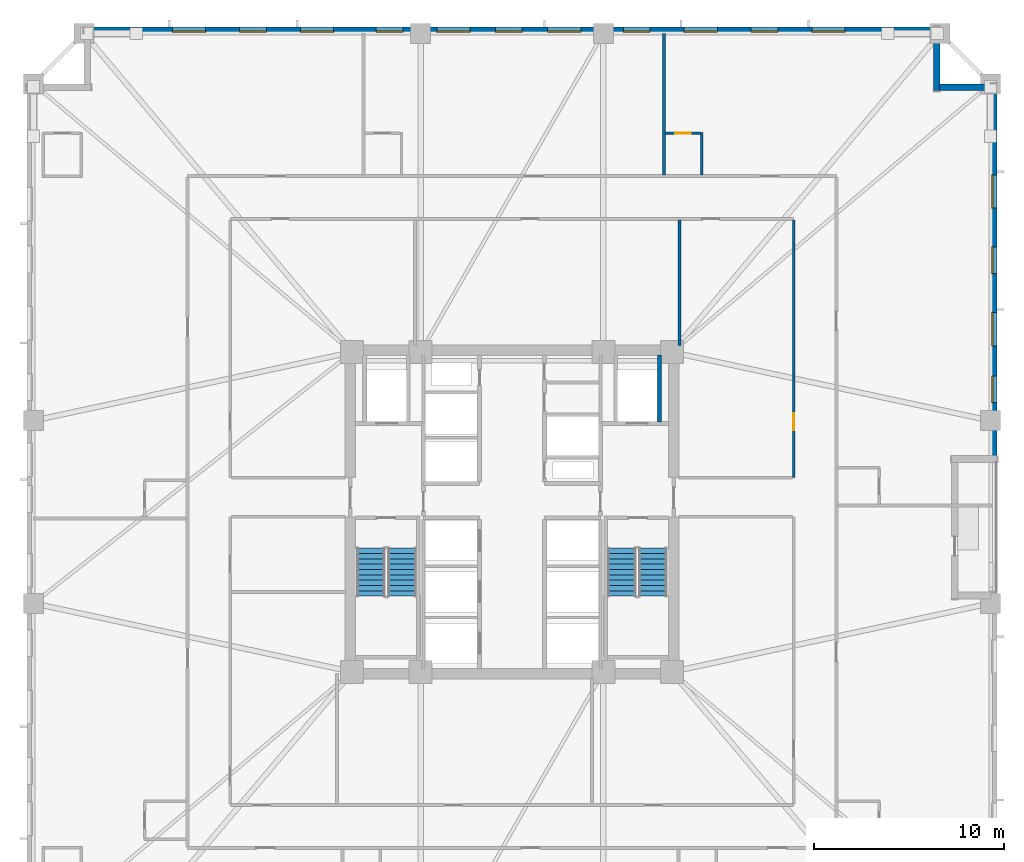
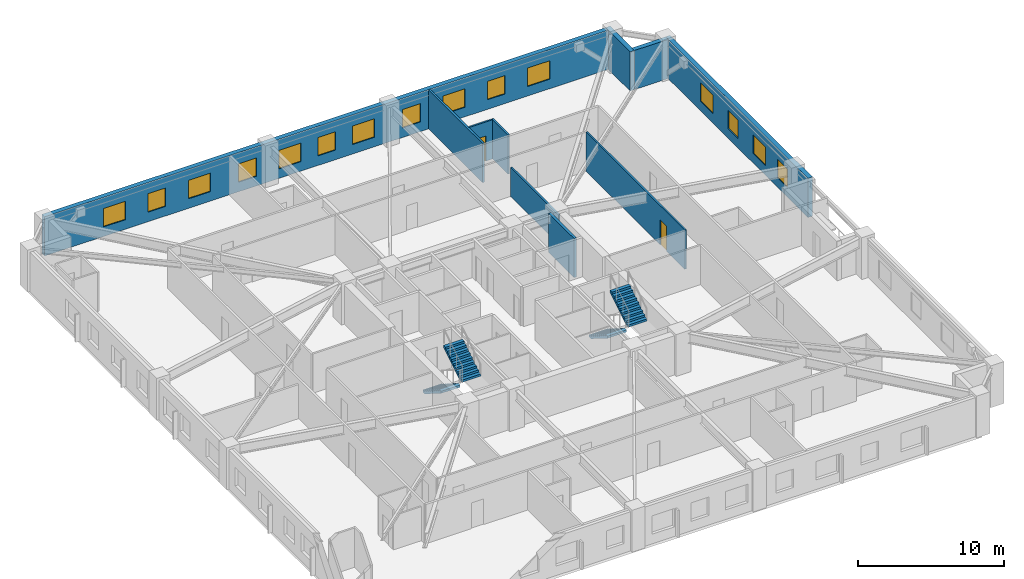
# One storey, part 6 of 11: 15 windows, 10 walls, 4 stair flights, 2 doors, 17 openings, 2 elements without a shape of their own.
"""IFC4 building model written with IfcOpenShell, lengths in metres."""

from ifc_helpers import new_model, si_unit, direction, frame, frame_2d, origin, place, context, subcontext, project, spatial, polyline, rectangle, outline, extrude, material, layer, layer_set, type_object, element, fill, aggregate, save


model = new_model("IFC4")

# Units and contexts
model_context = context("Model", 3, precision=1e-05, world=origin(), true_north=direction((0.0, 1.0)))
body_context = subcontext(model_context, "Body", "Model", "MODEL_VIEW")
ifc_project = project(units=[si_unit("LENGTHUNIT", "METRE"), si_unit("AREAUNIT", "SQUARE_METRE"), si_unit("VOLUMEUNIT", "CUBIC_METRE"), si_unit("PLANEANGLEUNIT", "RADIAN"), si_unit("MASSUNIT", "GRAM", prefix="KILO")], contexts=[model_context])

# Site, building, storey
site_placement = place(None, origin())
site = spatial("IfcSite", under=ifc_project, at=site_placement, CompositionType="ELEMENT")
building_placement = place(site_placement, origin())
building = spatial("IfcBuilding", under=site, at=building_placement, Name="Cairnveth Concourse Tower", CompositionType="ELEMENT")
storey_placement = place(building_placement, frame((0.0, 0.0, 65.5)))
storey = spatial("IfcBuildingStorey", under=building, at=storey_placement, Name="L17", CompositionType="ELEMENT", Elevation=65.5)

# Walls
ifc_material_1 = material(Name="Gypsum Plasterboard Partition", Category="gypsum")
ifc_layer_1 = layer(ifc_material_1, 0.159912109375)
ifc_layer_set_1 = layer_set([ifc_layer_1], Name="Gypsum Plasterboard Partition")
wall_type_1 = type_object("IfcWallType", Name="ACOUSTIC PARTY WALL 180", PredefinedType="PARTITIONING", material=ifc_layer_set_1)
wall_1_placement = place(storey_placement, frame((59.9775390625, 56.715087890625, 0.0), z_axis=(0.0, 0.0, 1.0), x_axis=(0.0, 1.0, 0.0)))
element("IfcWall", 1, at=wall_1_placement, inside=storey, type_object=wall_type_1, Name="Interior Wall IW-L17-074", PredefinedType="PARTITIONING", context=body_context, shape_type="SweptSolid", body=[
    extrude(rectangle(XDim=7.43994140625, YDim=0.159912109375, at=frame_2d((3.719970703125, 0.0))), origin(), (0.0, 0.0, 1.0), 3.280029296875),
])
ifc_material_2 = material(Name="Concrete N50 (50 MPa)", Category="concrete")
ifc_layer_2 = layer(ifc_material_2, 0.199951171875)
ifc_layer_set_2 = layer_set([ifc_layer_2], Name="Concrete N50 (50 MPa)")
wall_type_2 = type_object("IfcWallType", Name="FIRE SHAFT WALL 200", PredefinedType="SOLIDWALL", material=ifc_layer_set_2)
wall_2_placement = place(storey_placement, frame((59.75, 43.735107421875, 0.0), z_axis=(0.0, 0.0, 1.0), x_axis=(0.0, 1.0, 0.0)))
element("IfcWall", 2, at=wall_2_placement, inside=storey, type_object=wall_type_2, Name="Interior Wall IW-L17-024", PredefinedType="SOLIDWALL", context=body_context, shape_type="SweptSolid", body=[
    extrude(rectangle(XDim=3.5048828125, YDim=0.199951171875, at=frame_2d((1.75244140625, 0.0))), origin(), (0.0, 0.0, 1.0), 3.280029296875),
])

# Wall, opening, door
ifc_layer_3 = layer(ifc_material_1, 0.139892578125)
ifc_layer_set_3 = layer_set([ifc_layer_3], Name="Gypsum Plasterboard Partition")
wall_type_3 = type_object("IfcWallType", Name="GYPSUM STUD PARTITION 140", PredefinedType="PARTITIONING", material=ifc_layer_set_3)
wall_3_placement = place(storey_placement, frame((66.800048828125, 40.800048828125, 0.0), z_axis=(0.0, 0.0, 1.0), x_axis=(0.0, 1.0, 0.0)))
wall_3 = element("IfcWall", 3, at=wall_3_placement, inside=storey, type_object=wall_type_3, Name="Interior Wall IW-L17-049", PredefinedType="PARTITIONING", context=body_context, shape_type="SweptSolid", body=[
    extrude(rectangle(XDim=13.544921875, YDim=0.139892578125, at=frame_2d((6.7724609375, 0.0))), origin(), (0.0, 0.0, 1.0), 3.280029296875),
])
opening_1_placement = place(wall_3_placement, frame((2.5, 0.0, 0.0)))
opening_1 = element("IfcOpeningElement", 4, at=opening_1_placement, cuts=wall_3, Name="Opening ID18", PredefinedType="OPENING", context=body_context, shape_type="SweptSolid", body=[
    extrude(rectangle(XDim=0.8798828125, YDim=2.10009765625, at=frame_2d((0.43994140625, 1.050048828125))), frame((0.0, 0.079833984375, 0.0), z_axis=(0.0, -1.0, 0.0), x_axis=(1.0, 0.0, 0.0)), (0.0, 0.0, 1.0), 0.159912109375),
])
ifc_material_3 = material(Name="Solid Core Hardwood Timber Leaf", Category="wood")
door_type_1 = type_object("IfcDoorType", Name="INTERIOR SINGLE DOOR 880X2100", OperationType="NOTDEFINED", PredefinedType="DOOR", material=ifc_material_3)
door_1_placement = place(opening_1_placement, origin())
door_1 = element("IfcDoor", 5, at=door_1_placement, inside=storey, type_object=door_type_1, Name="Interior Door DR-L17-024", OperationType="SINGLE_SWING_RIGHT", OverallHeight=2.10009765625, OverallWidth=0.8798828125, PredefinedType="DOOR", context=body_context, shape_type="SweptSolid", body=[
    extrude(rectangle(XDim=0.8798828125, YDim=2.10009765625, at=frame_2d((0.43994140625, 1.050048828125))), frame((0.0, 0.02490234375, 0.0), z_axis=(0.0, -1.0, 0.0), x_axis=(1.0, 0.0, 0.0)), (0.0, 0.0, 1.0), 0.050048828125),
])
fill(opening_1, door_1)

# Walls
wall_4_placement = place(storey_placement, frame((60.800048828125, 47.760009765625, 0.0), z_axis=(0.0, 0.0, 1.0), x_axis=(0.0, 1.0, 0.0)))
element("IfcWall", 6, at=wall_4_placement, inside=storey, type_object=wall_type_3, Name="Interior Wall IW-L17-055", PredefinedType="PARTITIONING", context=body_context, shape_type="SweptSolid", body=[
    extrude(rectangle(XDim=6.5849609375, YDim=0.139892578125, at=frame_2d((3.29248046875, 0.0))), origin(), (0.0, 0.0, 1.0), 2.43896484375),
])
ifc_layer_4 = layer(ifc_material_1, 0.1298828125)
ifc_layer_set_4 = layer_set([ifc_layer_4], Name="Gypsum Plasterboard Partition")
wall_type_4 = type_object("IfcWallType", Name="WET AREA PARTITION 140", PredefinedType="PLUMBINGWALL", material=ifc_layer_set_4)
wall_5_placement = place(storey_placement, frame((61.9775390625, 56.715087890625, 0.0), z_axis=(0.0, 0.0, 1.0), x_axis=(0.0, 1.0, 0.0)))
element("IfcWall", 7, at=wall_5_placement, inside=storey, type_object=wall_type_4, Name="Interior Wall IW-L17-075", PredefinedType="PLUMBINGWALL", context=body_context, shape_type="SweptSolid", body=[
    extrude(rectangle(XDim=2.23486328125, YDim=0.1298828125, at=frame_2d((1.117431640625, 0.0))), origin(), (0.0, 0.0, 1.0), 3.280029296875),
])

# Wall, opening, door
wall_6_placement = place(storey_placement, frame((60.04248046875, 58.89990234375, 0.0), z_axis=(0.0, 0.0, 1.0), x_axis=(1.0, 0.0, 0.0)))
wall_6 = element("IfcWall", 8, at=wall_6_placement, inside=storey, type_object=wall_type_4, Name="Interior Wall IW-L17-076", PredefinedType="PLUMBINGWALL", context=body_context, shape_type="SweptSolid", body=[
    extrude(rectangle(XDim=1.885009765625, YDim=0.1298828125, at=frame_2d((0.9423828125, 0.0))), origin(), (0.0, 0.0, 1.0), 3.280029296875),
])
opening_2_placement = place(wall_6_placement, frame((0.52490234375, 0.0, 0.0)))
opening_2 = element("IfcOpeningElement", 9, at=opening_2_placement, cuts=wall_6, Name="Opening ID22", PredefinedType="OPENING", context=body_context, shape_type="SweptSolid", body=[
    extrude(rectangle(XDim=0.820068359375, YDim=2.10009765625, at=frame_2d((0.41015625, 1.050048828125))), frame((0.0, 0.074951171875, 0.0), z_axis=(0.0, -1.0, 0.0), x_axis=(1.0, 0.0, 0.0)), (0.0, 0.0, 1.0), 0.14990234375),
])
door_type_2 = type_object("IfcDoorType", Name="INTERIOR WC DOOR 820X2100", OperationType="NOTDEFINED", PredefinedType="DOOR", material=ifc_material_3)
door_2_placement = place(opening_2_placement, origin())
door_2 = element("IfcDoor", 10, at=door_2_placement, inside=storey, type_object=door_type_2, Name="En-Suite Door L17-N3", OperationType="SINGLE_SWING_LEFT", OverallHeight=2.10009765625, OverallWidth=0.820068359375, PredefinedType="DOOR", context=body_context, shape_type="SweptSolid", body=[
    extrude(rectangle(XDim=0.820068359375, YDim=2.10009765625, at=frame_2d((0.41015625, 1.050048828125))), frame((0.0, 0.02490234375, 0.0), z_axis=(0.0, -1.0, 0.0), x_axis=(1.0, 0.0, 0.0)), (0.0, 0.0, 1.0), 0.050048828125),
])
fill(opening_2, door_2)

# Wall, openings, windows
ifc_material_4 = material(Name="Hawthorn Red-Ochre Fired Clay Brick Masonry", Category="masonry")
ifc_layer_5 = layer(ifc_material_4, 0.360107421875)
ifc_layer_set_5 = layer_set([ifc_layer_5], Name="Hawthorn Red-Ochre Fired Clay Brick Masonry")
wall_type_5 = type_object("IfcWallType", Name="ZONE 1 BRICK PIER SPANDREL WALL 360", PredefinedType="SOLIDWALL", material=ifc_layer_set_5)
wall_7_placement = place(storey_placement, frame((29.5, 64.320068359375, 0.0), z_axis=(0.0, 0.0, 1.0), x_axis=(1.0, 0.0, 0.0)))
wall_7 = element("IfcWall", 11, at=wall_7_placement, inside=storey, type_object=wall_type_5, Name="Exterior Wall EW-L17-S09", PredefinedType="SOLIDWALL", context=body_context, shape_type="SweptSolid", body=[
    extrude(rectangle(XDim=44.662109375, YDim=0.360107421875, at=frame_2d((22.3310546875, 0.0))), origin(), (0.0, 0.0, 1.0), 3.280029296875),
])
opening_3_placement = place(wall_7_placement, frame((4.655029296875, 0.0, 0.800048828125)))
opening_3 = element("IfcOpeningElement", 12, at=opening_3_placement, cuts=wall_7, Name="Opening W06", PredefinedType="OPENING", context=body_context, shape_type="SweptSolid", body=[
    extrude(rectangle(XDim=1.75, YDim=1.5439453125, at=frame_2d((0.875, 0.77197265625))), frame((0.0, 0.18994140625, 0.0), z_axis=(0.0, -1.0, 0.0), x_axis=(1.0, 0.0, 0.0)), (0.0, 0.0, 1.0), 0.380126953125),
])
opening_4_placement = place(wall_7_placement, frame((8.190185546875, 0.0, 0.800048828125)))
opening_4 = element("IfcOpeningElement", 13, at=opening_4_placement, cuts=wall_7, Name="Opening W05", PredefinedType="OPENING", context=body_context, shape_type="SweptSolid", body=[
    extrude(rectangle(XDim=1.39990234375, YDim=1.5439453125, at=frame_2d((0.699951171875, 0.77197265625))), frame((0.0, 0.18994140625, 0.0), z_axis=(0.0, -1.0, 0.0), x_axis=(1.0, 0.0, 0.0)), (0.0, 0.0, 1.0), 0.380126953125),
])
opening_5_placement = place(wall_7_placement, frame((11.37548828125, 0.0, 0.800048828125)))
opening_5 = element("IfcOpeningElement", 14, at=opening_5_placement, cuts=wall_7, Name="Opening W06", PredefinedType="OPENING", context=body_context, shape_type="SweptSolid", body=[
    extrude(rectangle(XDim=1.75, YDim=1.5439453125, at=frame_2d((0.875, 0.77197265625))), frame((0.0, 0.18994140625, 0.0), z_axis=(0.0, -1.0, 0.0), x_axis=(1.0, 0.0, 0.0)), (0.0, 0.0, 1.0), 0.380126953125),
])
opening_6_placement = place(wall_7_placement, frame((15.360595703125, 0.0, 0.800048828125)))
opening_6 = element("IfcOpeningElement", 15, at=opening_6_placement, cuts=wall_7, Name="Opening W05", PredefinedType="OPENING", context=body_context, shape_type="SweptSolid", body=[
    extrude(rectangle(XDim=1.39990234375, YDim=1.5439453125, at=frame_2d((0.699951171875, 0.77197265625))), frame((0.0, 0.18994140625, 0.0), z_axis=(0.0, -1.0, 0.0), x_axis=(1.0, 0.0, 0.0)), (0.0, 0.0, 1.0), 0.380126953125),
])
opening_7_placement = place(wall_7_placement, frame((18.5458984375, 0.0, 0.800048828125)))
opening_7 = element("IfcOpeningElement", 16, at=opening_7_placement, cuts=wall_7, Name="Opening W06", PredefinedType="OPENING", context=body_context, shape_type="SweptSolid", body=[
    extrude(rectangle(XDim=1.75, YDim=1.5439453125, at=frame_2d((0.875, 0.77197265625))), frame((0.0, 0.18994140625, 0.0), z_axis=(0.0, -1.0, 0.0), x_axis=(1.0, 0.0, 0.0)), (0.0, 0.0, 1.0), 0.380126953125),
])
opening_8_placement = place(wall_7_placement, frame((21.631103515625, 0.0, 0.800048828125)))
opening_8 = element("IfcOpeningElement", 17, at=opening_8_placement, cuts=wall_7, Name="Opening W05", PredefinedType="OPENING", context=body_context, shape_type="SweptSolid", body=[
    extrude(rectangle(XDim=1.39990234375, YDim=1.5439453125, at=frame_2d((0.699951171875, 0.77197265625))), frame((0.0, 0.18994140625, 0.0), z_axis=(0.0, -1.0, 0.0), x_axis=(1.0, 0.0, 0.0)), (0.0, 0.0, 1.0), 0.380126953125),
])
opening_9_placement = place(wall_7_placement, frame((24.3662109375, 0.0, 0.800048828125)))
opening_9 = element("IfcOpeningElement", 18, at=opening_9_placement, cuts=wall_7, Name="Opening W06", PredefinedType="OPENING", context=body_context, shape_type="SweptSolid", body=[
    extrude(rectangle(XDim=1.75, YDim=1.5439453125, at=frame_2d((0.875, 0.77197265625))), frame((0.0, 0.18994140625, 0.0), z_axis=(0.0, -1.0, 0.0), x_axis=(1.0, 0.0, 0.0)), (0.0, 0.0, 1.0), 0.380126953125),
])
opening_10_placement = place(wall_7_placement, frame((28.351318359375, 0.0, 0.800048828125)))
opening_10 = element("IfcOpeningElement", 19, at=opening_10_placement, cuts=wall_7, Name="Opening W05", PredefinedType="OPENING", context=body_context, shape_type="SweptSolid", body=[
    extrude(rectangle(XDim=1.39990234375, YDim=1.5439453125, at=frame_2d((0.699951171875, 0.77197265625))), frame((0.0, 0.18994140625, 0.0), z_axis=(0.0, -1.0, 0.0), x_axis=(1.0, 0.0, 0.0)), (0.0, 0.0, 1.0), 0.380126953125),
])
opening_11_placement = place(wall_7_placement, frame((31.53662109375, 0.0, 0.800048828125)))
opening_11 = element("IfcOpeningElement", 20, at=opening_11_placement, cuts=wall_7, Name="Opening W06", PredefinedType="OPENING", context=body_context, shape_type="SweptSolid", body=[
    extrude(rectangle(XDim=1.75, YDim=1.5439453125, at=frame_2d((0.875, 0.77197265625))), frame((0.0, 0.18994140625, 0.0), z_axis=(0.0, -1.0, 0.0), x_axis=(1.0, 0.0, 0.0)), (0.0, 0.0, 1.0), 0.380126953125),
])
opening_12_placement = place(wall_7_placement, frame((35.07177734375, 0.0, 0.800048828125)))
opening_12 = element("IfcOpeningElement", 21, at=opening_12_placement, cuts=wall_7, Name="Opening W05", PredefinedType="OPENING", context=body_context, shape_type="SweptSolid", body=[
    extrude(rectangle(XDim=1.39990234375, YDim=1.5439453125, at=frame_2d((0.699951171875, 0.77197265625))), frame((0.0, 0.18994140625, 0.0), z_axis=(0.0, -1.0, 0.0), x_axis=(1.0, 0.0, 0.0)), (0.0, 0.0, 1.0), 0.380126953125),
])
opening_13_placement = place(wall_7_placement, frame((38.2568359375, 0.0, 0.800048828125)))
opening_13 = element("IfcOpeningElement", 22, at=opening_13_placement, cuts=wall_7, Name="Opening W06", PredefinedType="OPENING", context=body_context, shape_type="SweptSolid", body=[
    extrude(rectangle(XDim=1.75, YDim=1.5439453125, at=frame_2d((0.875, 0.77197265625))), frame((0.0, 0.18994140625, 0.0), z_axis=(0.0, -1.0, 0.0), x_axis=(1.0, 0.0, 0.0)), (0.0, 0.0, 1.0), 0.380126953125),
])
ifc_material_5 = material(Name="Double Glazed Low-E Clear Glass", Category="glass")
window_type_1 = type_object("IfcWindowType", Name="DEEP-SET HOTEL CASEMENT WINDOW 1400X1750", PartitioningType="DOUBLE_PANEL_VERTICAL", PredefinedType="WINDOW", material=ifc_material_5)
window_1_placement = place(opening_4_placement, origin())
window_1 = element("IfcWindow", 23, at=window_1_placement, inside=storey, type_object=window_type_1, Name="Gothic Lancet Window L17-9-2", OverallHeight=1.5439453125, OverallWidth=1.39990234375, PartitioningType="SINGLE_PANEL", PredefinedType="WINDOW", context=body_context, shape_type="SweptSolid", body=[
    extrude(rectangle(XDim=1.39990234375, YDim=1.5439453125, at=frame_2d((0.699951171875, 0.77197265625))), frame((0.0, -0.050048828125, 0.0), z_axis=(0.0, -1.0, 0.0), x_axis=(1.0, 0.0, 0.0)), (0.0, 0.0, 1.0), 0.06005859375),
])
fill(opening_4, window_1)
window_2_placement = place(opening_6_placement, origin())
window_2 = element("IfcWindow", 24, at=window_2_placement, inside=storey, type_object=window_type_1, Name="Gothic Lancet Window L17-9-4", OverallHeight=1.5439453125, OverallWidth=1.39990234375, PartitioningType="SINGLE_PANEL", PredefinedType="WINDOW", context=body_context, shape_type="SweptSolid", body=[
    extrude(rectangle(XDim=1.39990234375, YDim=1.5439453125, at=frame_2d((0.699951171875, 0.77197265625))), frame((0.0, -0.050048828125, 0.0), z_axis=(0.0, -1.0, 0.0), x_axis=(1.0, 0.0, 0.0)), (0.0, 0.0, 1.0), 0.06005859375),
])
fill(opening_6, window_2)
window_3_placement = place(opening_8_placement, origin())
window_3 = element("IfcWindow", 25, at=window_3_placement, inside=storey, type_object=window_type_1, Name="Gothic Lancet Window L17-9-6", OverallHeight=1.5439453125, OverallWidth=1.39990234375, PartitioningType="SINGLE_PANEL", PredefinedType="WINDOW", context=body_context, shape_type="SweptSolid", body=[
    extrude(rectangle(XDim=1.39990234375, YDim=1.5439453125, at=frame_2d((0.699951171875, 0.77197265625))), frame((0.0, -0.050048828125, 0.0), z_axis=(0.0, -1.0, 0.0), x_axis=(1.0, 0.0, 0.0)), (0.0, 0.0, 1.0), 0.06005859375),
])
fill(opening_8, window_3)
window_4_placement = place(opening_10_placement, origin())
window_4 = element("IfcWindow", 26, at=window_4_placement, inside=storey, type_object=window_type_1, Name="Gothic Lancet Window L17-9-8", OverallHeight=1.5439453125, OverallWidth=1.39990234375, PartitioningType="SINGLE_PANEL", PredefinedType="WINDOW", context=body_context, shape_type="SweptSolid", body=[
    extrude(rectangle(XDim=1.39990234375, YDim=1.5439453125, at=frame_2d((0.699951171875, 0.77197265625))), frame((0.0, -0.050048828125, 0.0), z_axis=(0.0, -1.0, 0.0), x_axis=(1.0, 0.0, 0.0)), (0.0, 0.0, 1.0), 0.06005859375),
])
fill(opening_10, window_4)
window_5_placement = place(opening_12_placement, origin())
window_5 = element("IfcWindow", 27, at=window_5_placement, inside=storey, type_object=window_type_1, Name="Gothic Lancet Window L17-9-10", OverallHeight=1.5439453125, OverallWidth=1.39990234375, PartitioningType="SINGLE_PANEL", PredefinedType="WINDOW", context=body_context, shape_type="SweptSolid", body=[
    extrude(rectangle(XDim=1.39990234375, YDim=1.5439453125, at=frame_2d((0.699951171875, 0.77197265625))), frame((0.0, -0.050048828125, 0.0), z_axis=(0.0, -1.0, 0.0), x_axis=(1.0, 0.0, 0.0)), (0.0, 0.0, 1.0), 0.06005859375),
])
fill(opening_12, window_5)
window_type_2 = type_object("IfcWindowType", Name="DEEP-SET HOTEL SUITE WINDOW 1750X1800", PartitioningType="DOUBLE_PANEL_VERTICAL", PredefinedType="WINDOW", material=ifc_material_5)
window_6_placement = place(opening_3_placement, origin())
window_6 = element("IfcWindow", 28, at=window_6_placement, inside=storey, type_object=window_type_2, Name="Gothic Lancet Window L17-9-1", OverallHeight=1.5439453125, OverallWidth=1.75, PartitioningType="SINGLE_PANEL", PredefinedType="WINDOW", context=body_context, shape_type="SweptSolid", body=[
    extrude(rectangle(XDim=1.75, YDim=1.5439453125, at=frame_2d((0.875, 0.77197265625))), frame((0.0, -0.050048828125, 0.0), z_axis=(0.0, -1.0, 0.0), x_axis=(1.0, 0.0, 0.0)), (0.0, 0.0, 1.0), 0.06005859375),
])
fill(opening_3, window_6)
window_7_placement = place(opening_5_placement, origin())
window_7 = element("IfcWindow", 29, at=window_7_placement, inside=storey, type_object=window_type_2, Name="Gothic Lancet Window L17-9-3", OverallHeight=1.5439453125, OverallWidth=1.75, PartitioningType="SINGLE_PANEL", PredefinedType="WINDOW", context=body_context, shape_type="SweptSolid", body=[
    extrude(rectangle(XDim=1.75, YDim=1.5439453125, at=frame_2d((0.875, 0.77197265625))), frame((0.0, -0.050048828125, 0.0), z_axis=(0.0, -1.0, 0.0), x_axis=(1.0, 0.0, 0.0)), (0.0, 0.0, 1.0), 0.06005859375),
])
fill(opening_5, window_7)
window_8_placement = place(opening_7_placement, origin())
window_8 = element("IfcWindow", 30, at=window_8_placement, inside=storey, type_object=window_type_2, Name="Gothic Lancet Window L17-9-5", OverallHeight=1.5439453125, OverallWidth=1.75, PartitioningType="SINGLE_PANEL", PredefinedType="WINDOW", context=body_context, shape_type="SweptSolid", body=[
    extrude(rectangle(XDim=1.75, YDim=1.5439453125, at=frame_2d((0.875, 0.77197265625))), frame((0.0, -0.050048828125, 0.0), z_axis=(0.0, -1.0, 0.0), x_axis=(1.0, 0.0, 0.0)), (0.0, 0.0, 1.0), 0.06005859375),
])
fill(opening_7, window_8)
window_9_placement = place(opening_9_placement, origin())
window_9 = element("IfcWindow", 31, at=window_9_placement, inside=storey, type_object=window_type_2, Name="Gothic Lancet Window L17-9-7", OverallHeight=1.5439453125, OverallWidth=1.75, PartitioningType="SINGLE_PANEL", PredefinedType="WINDOW", context=body_context, shape_type="SweptSolid", body=[
    extrude(rectangle(XDim=1.75, YDim=1.5439453125, at=frame_2d((0.875, 0.77197265625))), frame((0.0, -0.050048828125, 0.0), z_axis=(0.0, -1.0, 0.0), x_axis=(1.0, 0.0, 0.0)), (0.0, 0.0, 1.0), 0.06005859375),
])
fill(opening_9, window_9)
window_10_placement = place(opening_11_placement, origin())
window_10 = element("IfcWindow", 32, at=window_10_placement, inside=storey, type_object=window_type_2, Name="Gothic Lancet Window L17-9-9", OverallHeight=1.5439453125, OverallWidth=1.75, PartitioningType="SINGLE_PANEL", PredefinedType="WINDOW", context=body_context, shape_type="SweptSolid", body=[
    extrude(rectangle(XDim=1.75, YDim=1.5439453125, at=frame_2d((0.875, 0.77197265625))), frame((0.0, -0.050048828125, 0.0), z_axis=(0.0, -1.0, 0.0), x_axis=(1.0, 0.0, 0.0)), (0.0, 0.0, 1.0), 0.06005859375),
])
fill(opening_11, window_10)
window_11_placement = place(opening_13_placement, origin())
window_11 = element("IfcWindow", 33, at=window_11_placement, inside=storey, type_object=window_type_2, Name="Gothic Lancet Window L17-9-11", OverallHeight=1.5439453125, OverallWidth=1.75, PartitioningType="SINGLE_PANEL", PredefinedType="WINDOW", context=body_context, shape_type="SweptSolid", body=[
    extrude(rectangle(XDim=1.75, YDim=1.5439453125, at=frame_2d((0.875, 0.77197265625))), frame((0.0, -0.050048828125, 0.0), z_axis=(0.0, -1.0, 0.0), x_axis=(1.0, 0.0, 0.0)), (0.0, 0.0, 1.0), 0.06005859375),
])
fill(opening_13, window_11)

# Walls
wall_8_placement = place(storey_placement, frame((74.320068359375, 64.5, 0.0), z_axis=(0.0, 0.0, 1.0), x_axis=(0.0, -1.0, 0.0)))
element("IfcWall", 34, at=wall_8_placement, inside=storey, type_object=wall_type_5, Name="Exterior Wall EW-L17-S10", PredefinedType="SOLIDWALL", context=body_context, shape_type="SweptSolid", body=[
    extrude(rectangle(XDim=3.360107421875, YDim=0.360107421875, at=frame_2d((1.68017578125, 0.0))), origin(), (0.0, 0.0, 1.0), 3.280029296875),
])
wall_9_placement = place(storey_placement, frame((74.47802734375, 61.320068359375, 0.0), z_axis=(0.0, 0.0, 1.0), x_axis=(1.0, 0.0, 0.0)))
element("IfcWall", 35, at=wall_9_placement, inside=storey, type_object=wall_type_5, Name="Exterior Wall EW-L17-S11", PredefinedType="SOLIDWALL", context=body_context, shape_type="SweptSolid", body=[
    extrude(rectangle(XDim=2.68408203125, YDim=0.360107421875, at=frame_2d((1.342041015625, 0.0))), origin(), (0.0, 0.0, 1.0), 3.280029296875),
])

# Wall, openings, windows
wall_10_placement = place(storey_placement, frame((77.320068359375, 61.5, 0.0), z_axis=(0.0, 0.0, 1.0), x_axis=(0.0, -1.0, 0.0)))
wall_10 = element("IfcWall", 36, at=wall_10_placement, inside=storey, type_object=wall_type_5, Name="Exterior Wall EW-L17-S12", PredefinedType="SOLIDWALL", context=body_context, shape_type="SweptSolid", body=[
    extrude(rectangle(XDim=19.56201171875, YDim=0.360107421875, at=frame_2d((9.781005859375, 0.0))), origin(), (0.0, 0.0, 1.0), 3.280029296875),
])
opening_14_placement = place(wall_10_placement, frame((4.78271484375, 0.0, 0.800048828125)))
opening_14 = element("IfcOpeningElement", 37, at=opening_14_placement, cuts=wall_10, Name="Opening W06", PredefinedType="OPENING", context=body_context, shape_type="SweptSolid", body=[
    extrude(rectangle(XDim=1.75, YDim=1.5439453125, at=frame_2d((0.875, 0.77197265625))), frame((0.0, 0.18994140625, 0.0), z_axis=(0.0, -1.0, 0.0), x_axis=(1.0, 0.0, 0.0)), (0.0, 0.0, 1.0), 0.380126953125),
])
opening_15_placement = place(wall_10_placement, frame((8.5732421875, 0.0, 0.800048828125)))
opening_15 = element("IfcOpeningElement", 38, at=opening_15_placement, cuts=wall_10, Name="Opening W05", PredefinedType="OPENING", context=body_context, shape_type="SweptSolid", body=[
    extrude(rectangle(XDim=1.39990234375, YDim=1.5439453125, at=frame_2d((0.699951171875, 0.77197265625))), frame((0.0, 0.18994140625, 0.0), z_axis=(0.0, -1.0, 0.0), x_axis=(1.0, 0.0, 0.0)), (0.0, 0.0, 1.0), 0.380126953125),
])
opening_16_placement = place(wall_10_placement, frame((12.013671875, 0.0, 0.800048828125)))
opening_16 = element("IfcOpeningElement", 39, at=opening_16_placement, cuts=wall_10, Name="Opening W06", PredefinedType="OPENING", context=body_context, shape_type="SweptSolid", body=[
    extrude(rectangle(XDim=1.75, YDim=1.5439453125, at=frame_2d((0.875, 0.77197265625))), frame((0.0, 0.18994140625, 0.0), z_axis=(0.0, -1.0, 0.0), x_axis=(1.0, 0.0, 0.0)), (0.0, 0.0, 1.0), 0.380126953125),
])
opening_17_placement = place(wall_10_placement, frame((15.354248046875, 0.0, 0.800048828125)))
opening_17 = element("IfcOpeningElement", 40, at=opening_17_placement, cuts=wall_10, Name="Opening W05", PredefinedType="OPENING", context=body_context, shape_type="SweptSolid", body=[
    extrude(rectangle(XDim=1.39990234375, YDim=1.5439453125, at=frame_2d((0.699951171875, 0.77197265625))), frame((0.0, 0.18994140625, 0.0), z_axis=(0.0, -1.0, 0.0), x_axis=(1.0, 0.0, 0.0)), (0.0, 0.0, 1.0), 0.380126953125),
])
window_12_placement = place(opening_15_placement, origin())
window_12 = element("IfcWindow", 41, at=window_12_placement, inside=storey, type_object=window_type_1, Name="Gothic Lancet Window L17-12-2", OverallHeight=1.5439453125, OverallWidth=1.39990234375, PartitioningType="SINGLE_PANEL", PredefinedType="WINDOW", context=body_context, shape_type="SweptSolid", body=[
    extrude(rectangle(XDim=1.39990234375, YDim=1.5439453125, at=frame_2d((0.699951171875, 0.77197265625))), frame((0.0, -0.050048828125, 0.0), z_axis=(0.0, -1.0, 0.0), x_axis=(1.0, 0.0, 0.0)), (0.0, 0.0, 1.0), 0.06005859375),
])
fill(opening_15, window_12)
window_13_placement = place(opening_17_placement, origin())
window_13 = element("IfcWindow", 42, at=window_13_placement, inside=storey, type_object=window_type_1, Name="Gothic Lancet Window L17-12-4", OverallHeight=1.5439453125, OverallWidth=1.39990234375, PartitioningType="SINGLE_PANEL", PredefinedType="WINDOW", context=body_context, shape_type="SweptSolid", body=[
    extrude(rectangle(XDim=1.39990234375, YDim=1.5439453125, at=frame_2d((0.699951171875, 0.77197265625))), frame((0.0, -0.050048828125, 0.0), z_axis=(0.0, -1.0, 0.0), x_axis=(1.0, 0.0, 0.0)), (0.0, 0.0, 1.0), 0.06005859375),
])
fill(opening_17, window_13)
window_14_placement = place(opening_14_placement, origin())
window_14 = element("IfcWindow", 43, at=window_14_placement, inside=storey, type_object=window_type_2, Name="Gothic Lancet Window L17-12-1", OverallHeight=1.5439453125, OverallWidth=1.75, PartitioningType="SINGLE_PANEL", PredefinedType="WINDOW", context=body_context, shape_type="SweptSolid", body=[
    extrude(rectangle(XDim=1.75, YDim=1.5439453125, at=frame_2d((0.875, 0.77197265625))), frame((0.0, -0.050048828125, 0.0), z_axis=(0.0, -1.0, 0.0), x_axis=(1.0, 0.0, 0.0)), (0.0, 0.0, 1.0), 0.06005859375),
])
fill(opening_14, window_14)
window_15_placement = place(opening_16_placement, origin())
window_15 = element("IfcWindow", 44, at=window_15_placement, inside=storey, type_object=window_type_2, Name="Gothic Lancet Window L17-12-3", OverallHeight=1.5439453125, OverallWidth=1.75, PartitioningType="SINGLE_PANEL", PredefinedType="WINDOW", context=body_context, shape_type="SweptSolid", body=[
    extrude(rectangle(XDim=1.75, YDim=1.5439453125, at=frame_2d((0.875, 0.77197265625))), frame((0.0, -0.050048828125, 0.0), z_axis=(0.0, -1.0, 0.0), x_axis=(1.0, 0.0, 0.0)), (0.0, 0.0, 1.0), 0.06005859375),
])
fill(opening_16, window_15)

# Stair, stair flights
ifc_material_6 = material(Name="Precast concrete N50 (50 MPa)", Category="concrete")
stair_type = type_object("IfcStairType", Name="CORE DOG-LEG FIRE STAIR 1500", PredefinedType="HALF_TURN_STAIR", material=ifc_material_6)
stair_1_placement = place(storey_placement, origin())
stair_1 = element("IfcStair", 45, at=stair_1_placement, inside=storey, type_object=stair_type, Name="L17 Fire-Isolated Stair ST-1", PredefinedType="HALF_TURN_STAIR")
stair_flight_type = type_object("IfcStairFlightType", Name="PRECAST CONCRETE STAIR FLIGHT 1500", PredefinedType="STRAIGHT", material=ifc_material_6)
stair_flight_1_placement = place(storey_placement, frame((44.590087890625, 37.10009765625, 0.0), z_axis=(0.0, 0.0, 1.0), x_axis=(0.0, -1.0, 0.0)))
stair_flight_1 = element("IfcStairFlight", 46, at=stair_flight_1_placement, type_object=stair_flight_type, Name="ST-1 flight 1", NumberOfRisers=10, NumberOfTreads=9, PredefinedType="STRAIGHT", RiserHeight=0.175, TreadLength=0.28, context=body_context, shape_type="SweptSolid", body=[
    extrude(outline(polyline([(0.0, 0.0), (0.0, 0.175048828125), (0.280029296875, 0.175048828125), (0.280029296875, 0.35009765625), (0.56005859375, 0.35009765625), (0.56005859375, 0.52490234375), (0.840087890625, 0.52490234375), (0.840087890625, 0.699951171875), (1.1201171875, 0.699951171875), (1.1201171875, 0.875), (1.39990234375, 0.875), (1.39990234375, 1.050048828125), (1.679931640625, 1.050048828125), (1.679931640625, 1.22509765625), (1.9599609375, 1.22509765625), (1.9599609375, 1.39990234375), (2.239990234375, 1.39990234375), (2.239990234375, 1.574951171875), (2.52001953125, 1.574951171875), (2.52001953125, 1.75), (2.52001953125, 1.398193359375), (0.28271484375, 0.0), (0.0, 0.0)])), frame((0.0, 0.75, 0.0), z_axis=(0.0, -1.0, 0.0), x_axis=(1.0, 0.0, 0.0)), (0.0, 0.0, 1.0), 1.5),
])
stair_flight_2_placement = place(storey_placement, frame((46.22998046875, 34.580078125, 1.75), z_axis=(0.0, 0.0, 1.0), x_axis=(0.0, 1.0, 0.0)))
stair_flight_2 = element("IfcStairFlight", 47, at=stair_flight_2_placement, type_object=stair_flight_type, Name="ST-1 flight 2", NumberOfRisers=10, NumberOfTreads=9, PredefinedType="STRAIGHT", RiserHeight=0.175, TreadLength=0.28, context=body_context, shape_type="SweptSolid", body=[
    extrude(outline(polyline([(0.0, 0.0), (0.0, 0.175048828125), (0.280029296875, 0.175048828125), (0.280029296875, 0.35009765625), (0.56005859375, 0.35009765625), (0.56005859375, 0.52490234375), (0.840087890625, 0.52490234375), (0.840087890625, 0.699951171875), (1.1201171875, 0.699951171875), (1.1201171875, 0.875), (1.39990234375, 0.875), (1.39990234375, 1.050048828125), (1.679931640625, 1.050048828125), (1.679931640625, 1.22509765625), (1.9599609375, 1.22509765625), (1.9599609375, 1.39990234375), (2.239990234375, 1.39990234375), (2.239990234375, 1.574951171875), (2.52001953125, 1.574951171875), (2.52001953125, 1.75), (2.52001953125, 1.398193359375), (0.28271484375, 0.0), (0.0, 0.0)])), frame((0.0, 0.75, 0.0), z_axis=(0.0, -1.0, 0.0), x_axis=(1.0, 0.0, 0.0)), (0.0, 0.0, 1.0), 1.5),
])
aggregate(stair_1, [stair_flight_1, stair_flight_2])

stair_2_placement = place(storey_placement, origin())
stair_2 = element("IfcStair", 48, at=stair_2_placement, inside=storey, type_object=stair_type, Name="L17 Fire-Isolated Stair ST-2", PredefinedType="HALF_TURN_STAIR")
stair_flight_3_placement = place(storey_placement, frame((57.77001953125, 37.10009765625, 0.0), z_axis=(0.0, 0.0, 1.0), x_axis=(0.0, -1.0, 0.0)))
stair_flight_3 = element("IfcStairFlight", 49, at=stair_flight_3_placement, type_object=stair_flight_type, Name="ST-2 flight 1", NumberOfRisers=10, NumberOfTreads=9, PredefinedType="STRAIGHT", RiserHeight=0.175, TreadLength=0.28, context=body_context, shape_type="SweptSolid", body=[
    extrude(outline(polyline([(0.0, 0.0), (0.0, 0.175048828125), (0.280029296875, 0.175048828125), (0.280029296875, 0.35009765625), (0.56005859375, 0.35009765625), (0.56005859375, 0.52490234375), (0.840087890625, 0.52490234375), (0.840087890625, 0.699951171875), (1.1201171875, 0.699951171875), (1.1201171875, 0.875), (1.39990234375, 0.875), (1.39990234375, 1.050048828125), (1.679931640625, 1.050048828125), (1.679931640625, 1.22509765625), (1.9599609375, 1.22509765625), (1.9599609375, 1.39990234375), (2.239990234375, 1.39990234375), (2.239990234375, 1.574951171875), (2.52001953125, 1.574951171875), (2.52001953125, 1.75), (2.52001953125, 1.398193359375), (0.28271484375, 0.0), (0.0, 0.0)])), frame((0.0, 0.75, 0.0), z_axis=(0.0, -1.0, 0.0), x_axis=(1.0, 0.0, 0.0)), (0.0, 0.0, 1.0), 1.5),
])
stair_flight_4_placement = place(storey_placement, frame((59.409912109375, 34.580078125, 1.75), z_axis=(0.0, 0.0, 1.0), x_axis=(0.0, 1.0, 0.0)))
stair_flight_4 = element("IfcStairFlight", 50, at=stair_flight_4_placement, type_object=stair_flight_type, Name="ST-2 flight 2", NumberOfRisers=10, NumberOfTreads=9, PredefinedType="STRAIGHT", RiserHeight=0.175, TreadLength=0.28, context=body_context, shape_type="SweptSolid", body=[
    extrude(outline(polyline([(0.0, 0.0), (0.0, 0.175048828125), (0.280029296875, 0.175048828125), (0.280029296875, 0.35009765625), (0.56005859375, 0.35009765625), (0.56005859375, 0.52490234375), (0.840087890625, 0.52490234375), (0.840087890625, 0.699951171875), (1.1201171875, 0.699951171875), (1.1201171875, 0.875), (1.39990234375, 0.875), (1.39990234375, 1.050048828125), (1.679931640625, 1.050048828125), (1.679931640625, 1.22509765625), (1.9599609375, 1.22509765625), (1.9599609375, 1.39990234375), (2.239990234375, 1.39990234375), (2.239990234375, 1.574951171875), (2.52001953125, 1.574951171875), (2.52001953125, 1.75), (2.52001953125, 1.398193359375), (0.28271484375, 0.0), (0.0, 0.0)])), frame((0.0, 0.75, 0.0), z_axis=(0.0, -1.0, 0.0), x_axis=(1.0, 0.0, 0.0)), (0.0, 0.0, 1.0), 1.5),
])
aggregate(stair_2, [stair_flight_3, stair_flight_4])

save(model, "model.ifc")
